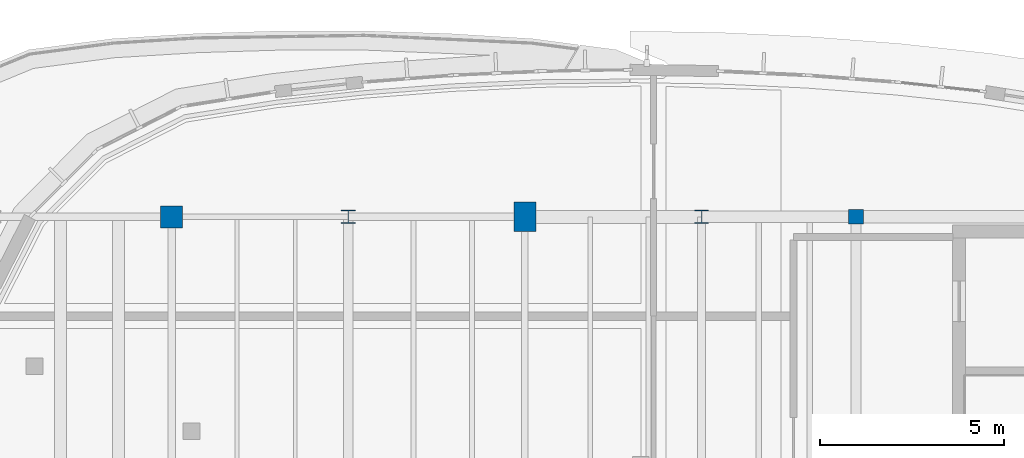
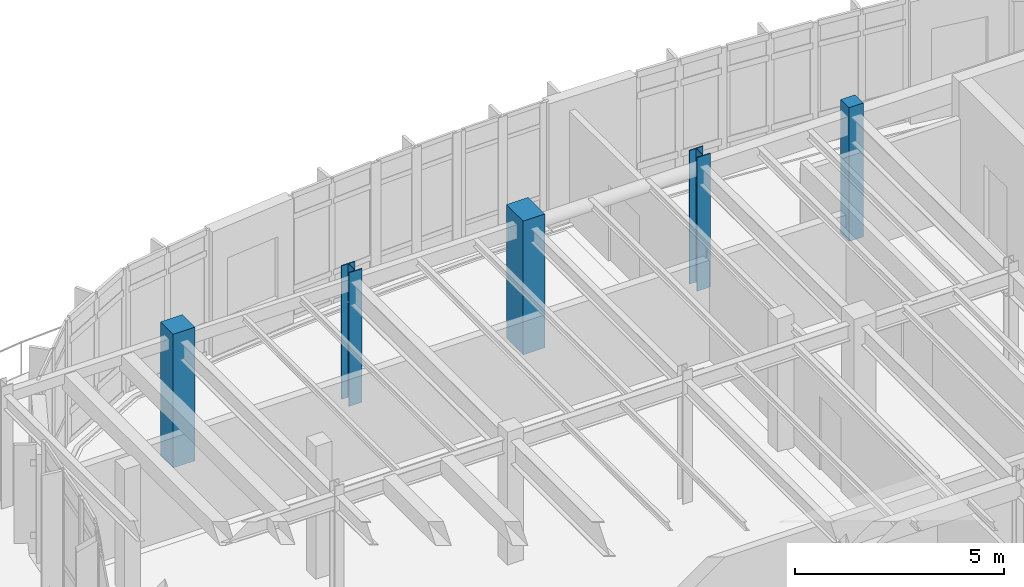
# One storey, part 16 of 111: 5 columns.
"""IFC4 building model written with IfcOpenShell, lengths in metres."""

from ifc_helpers import new_model, si_unit, direction, frame, origin, origin_2d, place, context, subcontext, project, spatial, rectangle, i_section, extrude, material, material_profile, profile_set, type_object, element, save


model = new_model("IFC4")

# Units and contexts
model_context = context("Model", 3, precision=1e-05, world=origin(), true_north=direction((0.0, 1.0)))
body_context = subcontext(model_context, "Body", "Model", "MODEL_VIEW")
ifc_project = project(units=[si_unit("LENGTHUNIT", "METRE"), si_unit("AREAUNIT", "SQUARE_METRE"), si_unit("VOLUMEUNIT", "CUBIC_METRE"), si_unit("PLANEANGLEUNIT", "RADIAN"), si_unit("MASSUNIT", "GRAM", prefix="KILO")], contexts=[model_context])

# Site, building, storey
site_placement = place(None, origin())
site = spatial("IfcSite", under=ifc_project, at=site_placement, CompositionType="ELEMENT")
building_placement = place(site_placement, origin())
building = spatial("IfcBuilding", under=site, at=building_placement, Name="Corveleigh Park Community Centre", CompositionType="ELEMENT")
storey_placement = place(building_placement, frame((0.0, 0.0, 4.800048828125)))
storey = spatial("IfcBuildingStorey", under=building, at=storey_placement, Name="L01", CompositionType="ELEMENT", Elevation=4.800048828125)

# Columns
ifc_material_1 = material(Name="Concrete C40/50", Category="concrete")
ifc_material_profile_1 = material_profile(ifc_material_1, rectangle(XDim=0.39990234375, YDim=0.39990234375, at=origin_2d()), Name="RC-400x400", Category="concrete")
ifc_profile_set_1 = profile_set([ifc_material_profile_1], Name="Concrete C40/50")
column_type_1 = type_object("IfcColumnType", Name="COL-RC-400x400", PredefinedType="COLUMN", material=ifc_profile_set_1)
column_1_placement = place(storey_placement, frame((158.0, 104.199951171875, 0.0), z_axis=(0.0, 0.0, 1.0), x_axis=(1.0, 0.0, 0.0)))
element("IfcColumn", 1, at=column_1_placement, inside=storey, type_object=column_type_1, Name="Column V4-X6Y6 L01", PredefinedType="COLUMN", context=body_context, shape_type="SweptSolid", body=[
    extrude(rectangle(XDim=0.39990234375, YDim=0.39990234375, at=origin_2d()), origin(), (0.0, 0.0, 1.0), 3.89990234375),
])
ifc_material_profile_2 = material_profile(ifc_material_1, rectangle(XDim=0.60009765625, YDim=0.60009765625, at=origin_2d()), Name="RC-600x600", Category="concrete")
ifc_profile_set_2 = profile_set([ifc_material_profile_2], Name="Concrete C40/50")
column_type_2 = type_object("IfcColumnType", Name="COL-RC-600x600", PredefinedType="COLUMN", material=ifc_profile_set_2)
column_2_placement = place(storey_placement, frame((139.39990234375, 104.199951171875, 0.0), z_axis=(0.0, 0.0, 1.0), x_axis=(1.0, 0.0, 0.0)))
element("IfcColumn", 2, at=column_2_placement, inside=storey, type_object=column_type_2, Name="Column V4-X2Y6 L01", PredefinedType="COLUMN", context=body_context, shape_type="SweptSolid", body=[
    extrude(rectangle(XDim=0.60009765625, YDim=0.60009765625, at=origin_2d()), origin(), (0.0, 0.0, 1.0), 3.89990234375),
])
ifc_material_profile_3 = material_profile(ifc_material_1, rectangle(XDim=0.60009765625, YDim=0.800048828125, at=origin_2d()), Name="RC-600x800", Category="concrete")
ifc_profile_set_3 = profile_set([ifc_material_profile_3], Name="Concrete C40/50")
column_type_3 = type_object("IfcColumnType", Name="COL-RC-600x800", PredefinedType="COLUMN", material=ifc_profile_set_3)
column_3_placement = place(storey_placement, frame((149.0, 104.199951171875, 0.0), z_axis=(0.0, 0.0, 1.0), x_axis=(1.0, 0.0, 0.0)))
element("IfcColumn", 3, at=column_3_placement, inside=storey, type_object=column_type_3, Name="Column V4-X4Y6 L01", PredefinedType="COLUMN", context=body_context, shape_type="SweptSolid", body=[
    extrude(rectangle(XDim=0.60009765625, YDim=0.800048828125, at=origin_2d()), origin(), (0.0, 0.0, 1.0), 3.89990234375),
])
ifc_material_2 = material(Name="Steel S355", Category="steel")
ifc_material_profile_4 = material_profile(ifc_material_2, i_section(OverallWidth=0.37060546875, OverallDepth=0.362060546875, WebThickness=0.01220703125, FlangeThickness=0.020751953125, at=origin_2d()), Name="UKC 356x368x153", Category="steel")
ifc_profile_set_4 = profile_set([ifc_material_profile_4], Name="Steel S355")
column_type_4 = type_object("IfcColumnType", Name="COL-STL-UKC356x153", PredefinedType="COLUMN", material=ifc_profile_set_4)
column_4_placement = place(storey_placement, frame((144.199951171875, 104.199951171875, 0.0), z_axis=(0.0, 0.0, 1.0), x_axis=(1.0, 0.0, 0.0)))
element("IfcColumn", 4, at=column_4_placement, inside=storey, type_object=column_type_4, Name="Column V4-X3Y6 L01", PredefinedType="COLUMN", context=body_context, shape_type="SweptSolid", body=[
    extrude(i_section(OverallWidth=0.37060546875, OverallDepth=0.362060546875, WebThickness=0.01220703125, FlangeThickness=0.020751953125, at=origin_2d()), origin(), (0.0, 0.0, 1.0), 3.89990234375),
])
ifc_material_profile_5 = material_profile(ifc_material_2, i_section(OverallWidth=0.37255859375, OverallDepth=0.3681640625, WebThickness=0.014404296875, FlangeThickness=0.023681640625, at=origin_2d()), Name="UKC 356x368x177", Category="steel")
ifc_profile_set_5 = profile_set([ifc_material_profile_5], Name="Steel S355")
column_type_5 = type_object("IfcColumnType", Name="COL-STL-UKC356x177", PredefinedType="COLUMN", material=ifc_profile_set_5)
column_5_placement = place(storey_placement, frame((153.800048828125, 104.199951171875, 0.0), z_axis=(0.0, 0.0, 1.0), x_axis=(1.0, 0.0, 0.0)))
element("IfcColumn", 5, at=column_5_placement, inside=storey, type_object=column_type_5, Name="Column V4-X5Y6 L01", PredefinedType="COLUMN", context=body_context, shape_type="SweptSolid", body=[
    extrude(i_section(OverallWidth=0.37255859375, OverallDepth=0.3681640625, WebThickness=0.014404296875, FlangeThickness=0.023681640625, at=origin_2d()), origin(), (0.0, 0.0, 1.0), 3.89990234375),
])

save(model, "model.ifc")
